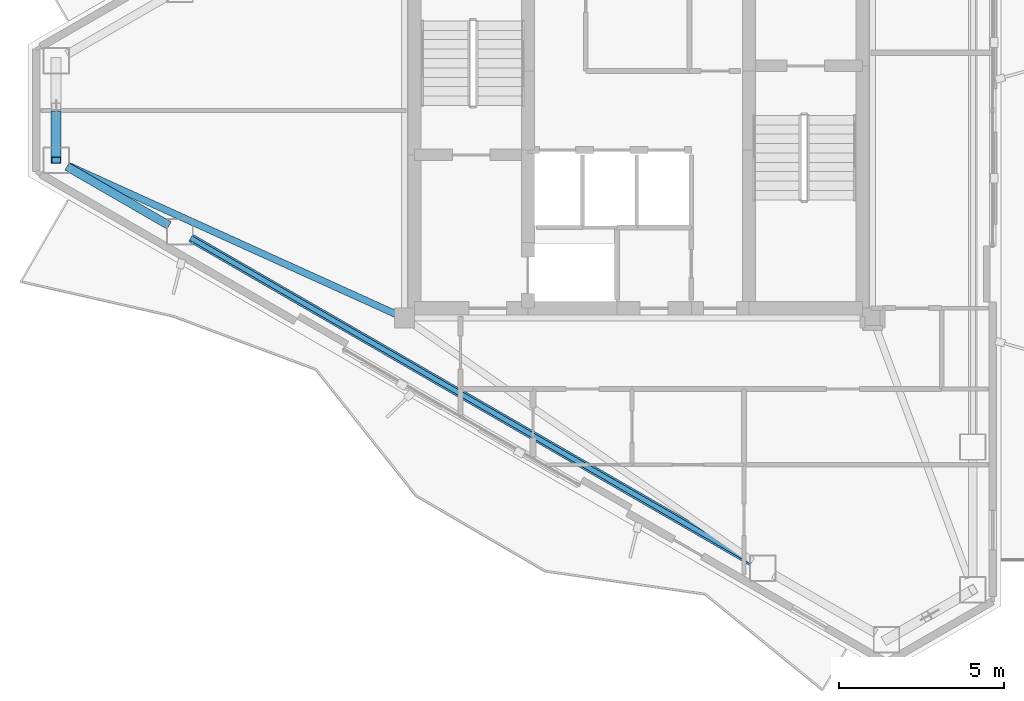
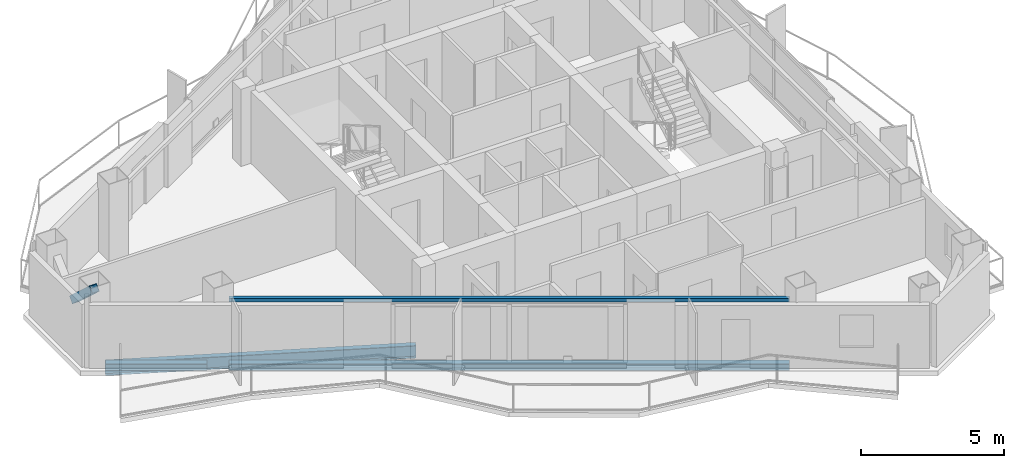
# One storey, part 3 of 18: 4 beams, 1 member.
"""IFC4 building model written with IfcOpenShell, lengths in metres."""

from ifc_helpers import new_model, si_unit, direction, frame, origin, origin_2d, place, context, subcontext, project, spatial, hollow_rectangle, i_section, extrude, material, material_profile, profile_set, type_object, element, save


model = new_model("IFC4")

# Units and contexts
model_context = context("Model", 3, precision=1e-05, world=origin(), true_north=direction((0.0, 1.0)))
body_context = subcontext(model_context, "Body", "Model", "MODEL_VIEW")
ifc_project = project(units=[si_unit("LENGTHUNIT", "METRE"), si_unit("AREAUNIT", "SQUARE_METRE"), si_unit("VOLUMEUNIT", "CUBIC_METRE"), si_unit("PLANEANGLEUNIT", "RADIAN"), si_unit("MASSUNIT", "GRAM", prefix="KILO")], contexts=[model_context])

# Site, building, storey
site_placement = place(None, origin())
site = spatial("IfcSite", under=ifc_project, at=site_placement, CompositionType="ELEMENT")
building_placement = place(site_placement, origin())
building = spatial("IfcBuilding", under=site, at=building_placement, Name="Mersakhor Tower and Convention Hall", CompositionType="ELEMENT")
storey_placement = place(building_placement, frame((0.0, 0.0, 226.5)))
storey = spatial("IfcBuildingStorey", under=building, at=storey_placement, Name="L63", CompositionType="ELEMENT", Elevation=226.5)

# Beams
ifc_material_1 = material(Name="Steel S355", Category="steel")
ifc_material_profile_1 = material_profile(ifc_material_1, i_section(OverallWidth=0.2099609375, OverallDepth=0.53662109375, WebThickness=0.0107421875, FlangeThickness=0.017333984375, at=origin_2d()), Name="UB 533x210x101")
ifc_profile_set_1 = profile_set([ifc_material_profile_1], Name="Steel S355")
beam_type_1 = type_object("IfcBeamType", Name="BM-FB-533", PredefinedType="BEAM", material=ifc_profile_set_1)
beam_1_placement = place(storey_placement, frame((21.64501953125, 20.565673828125, -0.48828125), z_axis=(-0.910860191929, 0.412715047895, 0.0), x_axis=(-0.412715047895, -0.910860191929, 0.0)))
element("IfcBeam", 1, at=beam_1_placement, inside=storey, type_object=beam_type_1, Name="L63 Primary Floor Girder FG-6", PredefinedType="BEAM", context=body_context, shape_type="SweptSolid", body=[
    extrude(i_section(OverallWidth=0.2099609375, OverallDepth=0.53662109375, WebThickness=0.0107421875, FlangeThickness=0.017333984375, at=origin_2d()), origin(), (0.0, 0.0, 1.0), 10.9423828125),
])
ifc_material_2 = material(Name="Steel S355", Category="steel")
ifc_material_profile_2 = material_profile(ifc_material_2, hollow_rectangle(XDim=0.14990234375, YDim=0.14990234375, WallThickness=0.010009765625, at=origin_2d()), Name="SHS 150x150x10")
ifc_profile_set_2 = profile_set([ifc_material_profile_2], Name="Steel S355")
beam_type_2 = type_object("IfcBeamType", Name="BM-GRT-SHS150", PredefinedType="USERDEFINED", material=ifc_profile_set_2)
beam_2_placement = place(storey_placement, frame((32.4423828125, 13.050537109375, 2.47998046875), z_axis=(-0.866021610626, 0.500006569886, 0.0), x_axis=(-0.500006569886, -0.866021610626, 0.0)))
element("IfcBeam", 2, at=beam_2_placement, inside=storey, type_object=beam_type_2, Name="L63 Facade Support Girt GRT-F3", ObjectType="GIRT", PredefinedType="USERDEFINED", context=body_context, shape_type="SweptSolid", body=[
    extrude(hollow_rectangle(XDim=0.14990234375, YDim=0.14990234375, WallThickness=0.010009765625, at=origin_2d()), origin(), (0.0, 0.0, 1.0), 19.661865234375),
])
ifc_material_3 = material(Name="Steel S355", Category="steel")
ifc_material_profile_3 = material_profile(ifc_material_3, i_section(OverallWidth=0.25634765625, OverallDepth=0.26025390625, WebThickness=0.01025390625, FlangeThickness=0.017333984375, at=origin_2d()), Name="UC 254x254x89")
ifc_profile_set_3 = profile_set([ifc_material_profile_3], Name="Steel S355")
beam_type_3 = type_object("IfcBeamType", Name="BM-SPD-UC254", PredefinedType="SPANDREL", material=ifc_profile_set_3)
beam_3_placement = place(storey_placement, frame((32.4423828125, 13.050537109375, -0.35009765625), z_axis=(-0.866021610626, 0.500006569886, 0.0), x_axis=(-0.500006569886, -0.866021610626, 0.0)))
element("IfcBeam", 3, at=beam_3_placement, inside=storey, type_object=beam_type_3, Name="L63 Perimeter Spandrel Beam SPB-10", PredefinedType="SPANDREL", context=body_context, shape_type="SweptSolid", body=[
    extrude(i_section(OverallWidth=0.25634765625, OverallDepth=0.26025390625, WebThickness=0.01025390625, FlangeThickness=0.017333984375, at=origin_2d()), origin(), (0.0, 0.0, 1.0), 19.661865234375),
])
beam_4_placement = place(storey_placement, frame((14.756591796875, 23.261474609375, -0.35009765625), z_axis=(-0.866032030752, 0.499988521579, 0.0), x_axis=(-0.499988521579, -0.866032030752, 0.0)))
element("IfcBeam", 4, at=beam_4_placement, inside=storey, type_object=beam_type_3, Name="L63 Perimeter Spandrel Beam SPB-11", PredefinedType="SPANDREL", context=body_context, shape_type="SweptSolid", body=[
    extrude(i_section(OverallWidth=0.25634765625, OverallDepth=0.26025390625, WebThickness=0.01025390625, FlangeThickness=0.017333984375, at=origin_2d()), origin(), (0.0, 0.0, 1.0), 3.57421875),
])

# Member
ifc_material_4 = material(Name="Steel S355", Category="steel")
ifc_material_profile_4 = material_profile(ifc_material_4, hollow_rectangle(XDim=0.300048828125, YDim=0.300048828125, WallThickness=0.01611328125, at=origin_2d()), Name="SHS 300x300x16")
ifc_profile_set_4 = profile_set([ifc_material_profile_4], Name="Steel S355")
member_type = type_object("IfcMemberType", Name="MB-BRC-SHS300", PredefinedType="BRACE", material=ifc_profile_set_4)
member_placement = place(storey_placement, frame((11.33203125, 26.63330078125, 1.647216796875), z_axis=(0.0, -0.735997778537, 0.676983951057), x_axis=(1.0, 0.0, 0.0)))
element("IfcMember", 5, at=member_placement, inside=storey, type_object=member_type, Name="L63 Chamfer Braced Frame Diagonal CB-3B Upper Half", PredefinedType="BRACE", context=body_context, shape_type="SweptSolid", body=[
    extrude(hollow_rectangle(XDim=0.300048828125, YDim=0.300048828125, WallThickness=0.01611328125, at=origin_2d()), origin(), (0.0, 0.0, 1.0), 1.894775390625),
])

save(model, "model.ifc")
